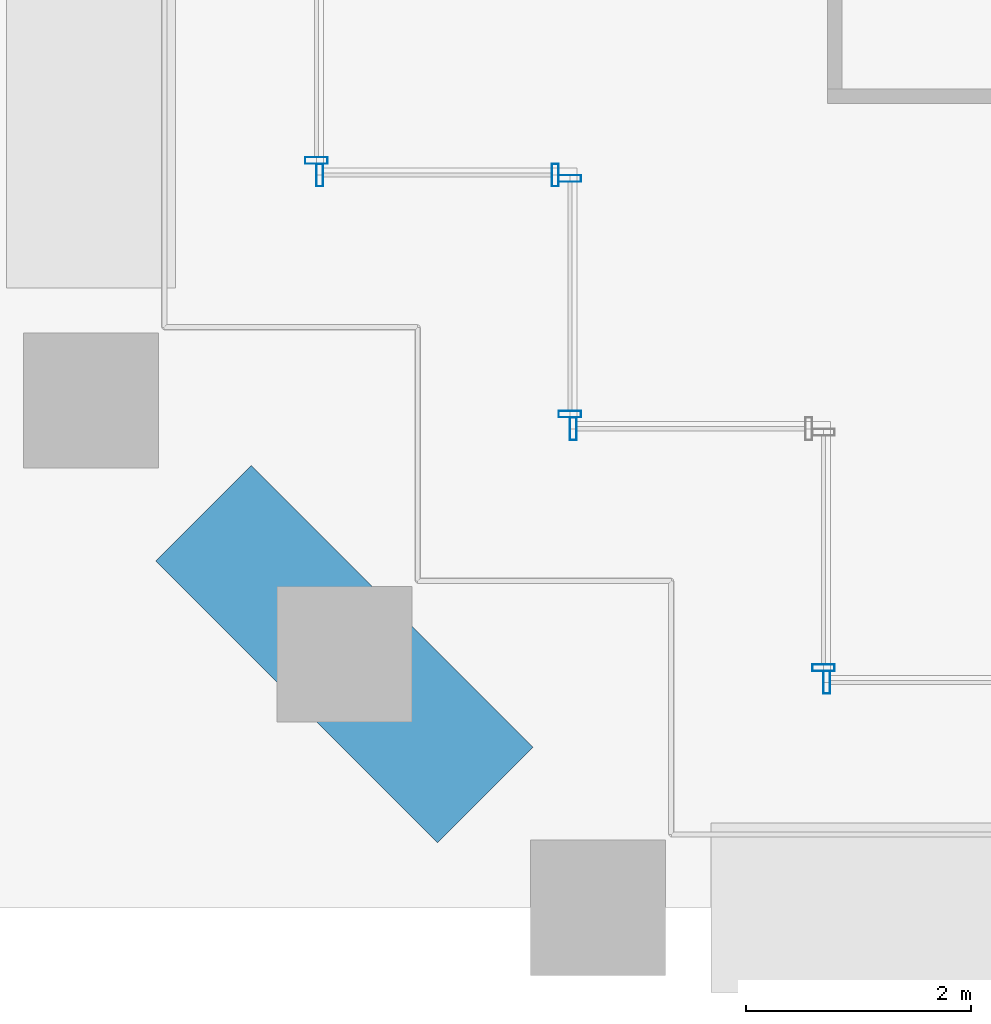
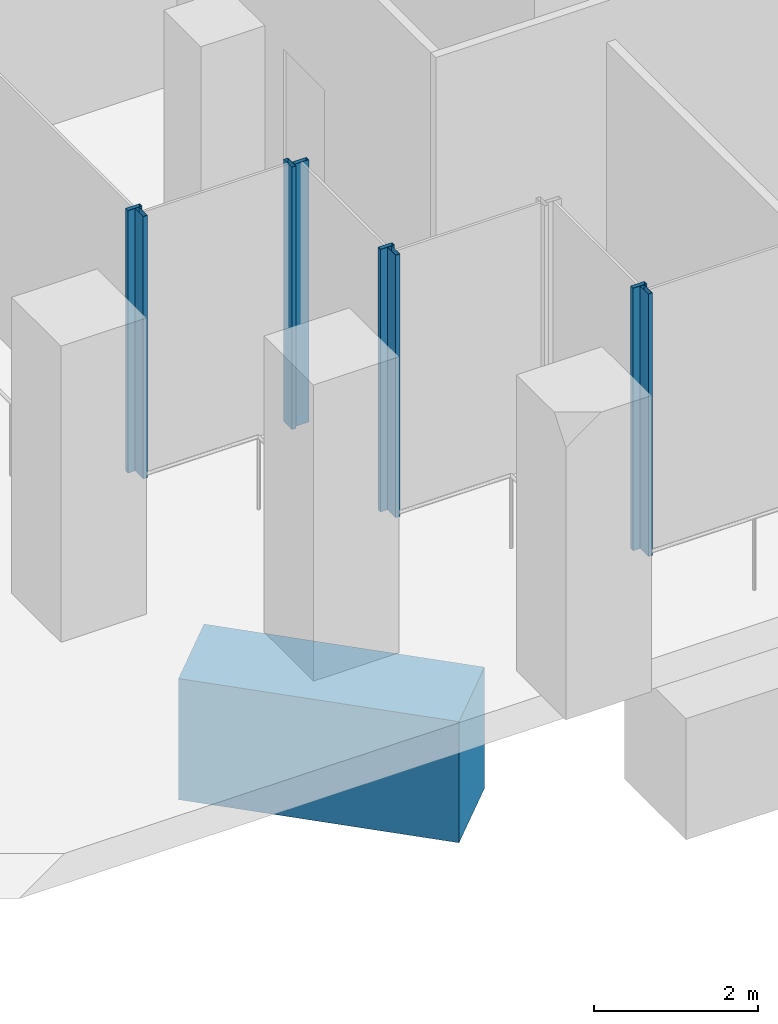
# One storey, part 14 of 32: 8 members, 1 beam, 6 elements without a shape of their own.
"""IFC4 building model written with IfcOpenShell, lengths in metres."""

from ifc_helpers import new_model, si_unit, direction, frame, origin, origin_2d, place, context, subcontext, project, spatial, rectangle, hollow_rectangle, extrude, material, material_profile, profile_set, type_object, element, aggregate, save


model = new_model("IFC4")

# Units and contexts
model_context = context("Model", 3, precision=1e-05, world=origin(), true_north=direction((0.0, 1.0)))
body_context = subcontext(model_context, "Body", "Model", "MODEL_VIEW")
ifc_project = project(units=[si_unit("LENGTHUNIT", "METRE"), si_unit("AREAUNIT", "SQUARE_METRE"), si_unit("VOLUMEUNIT", "CUBIC_METRE"), si_unit("PLANEANGLEUNIT", "RADIAN"), si_unit("MASSUNIT", "GRAM", prefix="KILO")], contexts=[model_context])

# Site, building, storey
site_placement = place(None, origin())
site = spatial("IfcSite", under=ifc_project, at=site_placement, CompositionType="ELEMENT")
building_placement = place(site_placement, origin())
building = spatial("IfcBuilding", under=site, at=building_placement, Name="Altepetl Exchange Towers", CompositionType="ELEMENT")
storey_placement = place(building_placement, frame((0.0, 0.0, 21.0)))
storey = spatial("IfcBuildingStorey", under=building, at=storey_placement, Name="L04", CompositionType="ELEMENT", Elevation=21.0)

# Curtain wall, member
ifc_material_1 = material(Name="Aluminium 6063-T6 glazing", Category="aluminium")
curtain_wall_type = type_object("IfcCurtainWallType", Name="Trading floor glazing system", PredefinedType="NOTDEFINED", material=ifc_material_1)
curtain_wall_1_placement = place(storey_placement, origin())
curtain_wall_1 = element("IfcCurtainWall", 1, at=curtain_wall_1_placement, inside=storey, type_object=curtain_wall_type, Name="CW2 run", PredefinedType="NOTDEFINED")
ifc_material_2 = material(Name="Aluminium 6063-T6", Category="aluminium")
ifc_material_profile_1 = material_profile(ifc_material_2, hollow_rectangle(XDim=0.06005859375, YDim=0.199951171875, WallThickness=0.0029296875, at=origin_2d()), Name="Mullion 60x200 aluminium")
ifc_profile_set_1 = profile_set([ifc_material_profile_1], Name="Aluminium 6063-T6")
member_type = type_object("IfcMemberType", Name="Mullion 60x200 aluminium", PredefinedType="MULLION", material=ifc_profile_set_1)
member_1_placement = place(storey_placement, frame((96.5, 33.6298828125, 0.0), z_axis=(0.0, 0.0, 1.0), x_axis=(0.0, -1.0, 0.0)))
member_1 = element("IfcMember", 2, at=member_1_placement, type_object=member_type, Name="MU2 mullion", PredefinedType="MULLION", context=body_context, shape_type="SweptSolid", body=[
    extrude(hollow_rectangle(XDim=0.06005859375, YDim=0.199951171875, WallThickness=0.0029296875, at=origin_2d()), origin(), (0.0, 0.0, 1.0), 3.89990234375),
])
aggregate(curtain_wall_1, [member_1])

# Curtain wall, members
curtain_wall_2_placement = place(storey_placement, origin())
curtain_wall_2 = element("IfcCurtainWall", 3, at=curtain_wall_2_placement, inside=storey, type_object=curtain_wall_type, Name="CW2 run", PredefinedType="NOTDEFINED")
member_2_placement = place(storey_placement, frame((96.530029296875, 33.5, 0.0)))
member_2 = element("IfcMember", 4, at=member_2_placement, type_object=member_type, Name="MU2 mullion", PredefinedType="MULLION", context=body_context, shape_type="SweptSolid", body=[
    extrude(hollow_rectangle(XDim=0.06005859375, YDim=0.199951171875, WallThickness=0.0029296875, at=origin_2d()), origin(), (0.0, 0.0, 1.0), 3.89990234375),
])
member_3_placement = place(storey_placement, frame((98.6201171875, 33.5, 0.0)))
member_3 = element("IfcMember", 5, at=member_3_placement, type_object=member_type, Name="MU2 mullion", PredefinedType="MULLION", context=body_context, shape_type="SweptSolid", body=[
    extrude(hollow_rectangle(XDim=0.06005859375, YDim=0.199951171875, WallThickness=0.0029296875, at=origin_2d()), origin(), (0.0, 0.0, 1.0), 3.89990234375),
])
aggregate(curtain_wall_2, [member_2, member_3])

curtain_wall_3_placement = place(storey_placement, origin())
curtain_wall_3 = element("IfcCurtainWall", 6, at=curtain_wall_3_placement, inside=storey, type_object=curtain_wall_type, Name="CW2 run", PredefinedType="NOTDEFINED")
member_4_placement = place(storey_placement, frame((98.75, 33.469970703125, 0.0), z_axis=(0.0, 0.0, 1.0), x_axis=(0.0, -1.0, 0.0)))
member_4 = element("IfcMember", 7, at=member_4_placement, type_object=member_type, Name="MU2 mullion", PredefinedType="MULLION", context=body_context, shape_type="SweptSolid", body=[
    extrude(hollow_rectangle(XDim=0.06005859375, YDim=0.199951171875, WallThickness=0.0029296875, at=origin_2d()), origin(), (0.0, 0.0, 1.0), 3.89990234375),
])
member_5_placement = place(storey_placement, frame((98.75, 31.3798828125, 0.0), z_axis=(0.0, 0.0, 1.0), x_axis=(0.0, -1.0, 0.0)))
member_5 = element("IfcMember", 8, at=member_5_placement, type_object=member_type, Name="MU2 mullion", PredefinedType="MULLION", context=body_context, shape_type="SweptSolid", body=[
    extrude(hollow_rectangle(XDim=0.06005859375, YDim=0.199951171875, WallThickness=0.0029296875, at=origin_2d()), origin(), (0.0, 0.0, 1.0), 3.89990234375),
])
aggregate(curtain_wall_3, [member_4, member_5])

# Curtain wall, member
curtain_wall_4_placement = place(storey_placement, origin())
curtain_wall_4 = element("IfcCurtainWall", 9, at=curtain_wall_4_placement, inside=storey, type_object=curtain_wall_type, Name="CW2 run", PredefinedType="NOTDEFINED")
member_6_placement = place(storey_placement, frame((98.780029296875, 31.25, 0.0)))
member_6 = element("IfcMember", 10, at=member_6_placement, type_object=member_type, Name="MU2 mullion", PredefinedType="MULLION", context=body_context, shape_type="SweptSolid", body=[
    extrude(hollow_rectangle(XDim=0.06005859375, YDim=0.199951171875, WallThickness=0.0029296875, at=origin_2d()), origin(), (0.0, 0.0, 1.0), 3.89990234375),
])
aggregate(curtain_wall_4, [member_6])

curtain_wall_5_placement = place(storey_placement, origin())
curtain_wall_5 = element("IfcCurtainWall", 11, at=curtain_wall_5_placement, inside=storey, type_object=curtain_wall_type, Name="CW2 run", PredefinedType="NOTDEFINED")
member_7_placement = place(storey_placement, frame((101.0, 29.1298828125, 0.0), z_axis=(0.0, 0.0, 1.0), x_axis=(0.0, -1.0, 0.0)))
member_7 = element("IfcMember", 12, at=member_7_placement, type_object=member_type, Name="MU2 mullion", PredefinedType="MULLION", context=body_context, shape_type="SweptSolid", body=[
    extrude(hollow_rectangle(XDim=0.06005859375, YDim=0.199951171875, WallThickness=0.0029296875, at=origin_2d()), origin(), (0.0, 0.0, 1.0), 3.89990234375),
])
aggregate(curtain_wall_5, [member_7])

curtain_wall_6_placement = place(storey_placement, origin())
curtain_wall_6 = element("IfcCurtainWall", 13, at=curtain_wall_6_placement, inside=storey, type_object=curtain_wall_type, Name="CW2 run", PredefinedType="NOTDEFINED")
member_8_placement = place(storey_placement, frame((101.030029296875, 29.0, 0.0)))
member_8 = element("IfcMember", 14, at=member_8_placement, type_object=member_type, Name="MU2 mullion", PredefinedType="MULLION", context=body_context, shape_type="SweptSolid", body=[
    extrude(hollow_rectangle(XDim=0.06005859375, YDim=0.199951171875, WallThickness=0.0029296875, at=origin_2d()), origin(), (0.0, 0.0, 1.0), 3.89990234375),
])
aggregate(curtain_wall_6, [member_8])

# Beam
ifc_material_3 = material(Name="Concrete C60/75", Category="concrete")
ifc_material_profile_2 = material_profile(ifc_material_3, rectangle(XDim=1.199951171875, YDim=1.800048828125, at=origin_2d()), Name="1200 x 1800")
ifc_profile_set_2 = profile_set([ifc_material_profile_2], Name="Concrete C60/75")
beam_type = type_object("IfcBeamType", Name="Transfer girder 1200x1800", PredefinedType="BEAM", material=ifc_profile_set_2)
beam_placement = place(storey_placement, frame((98.0, 28.0, -1.35009765625), z_axis=(-0.707106781187, 0.707106781187, 0.0), x_axis=(-0.707106781187, -0.707106781187, 0.0)))
element("IfcBeam", 15, at=beam_placement, inside=storey, type_object=beam_type, Name="bm:B:L04:tg08", PredefinedType="BEAM", context=body_context, shape_type="SweptSolid", body=[
    extrude(rectangle(XDim=1.199951171875, YDim=1.800048828125, at=origin_2d()), origin(), (0.0, 0.0, 1.0), 3.53564453125),
])

save(model, "model.ifc")
